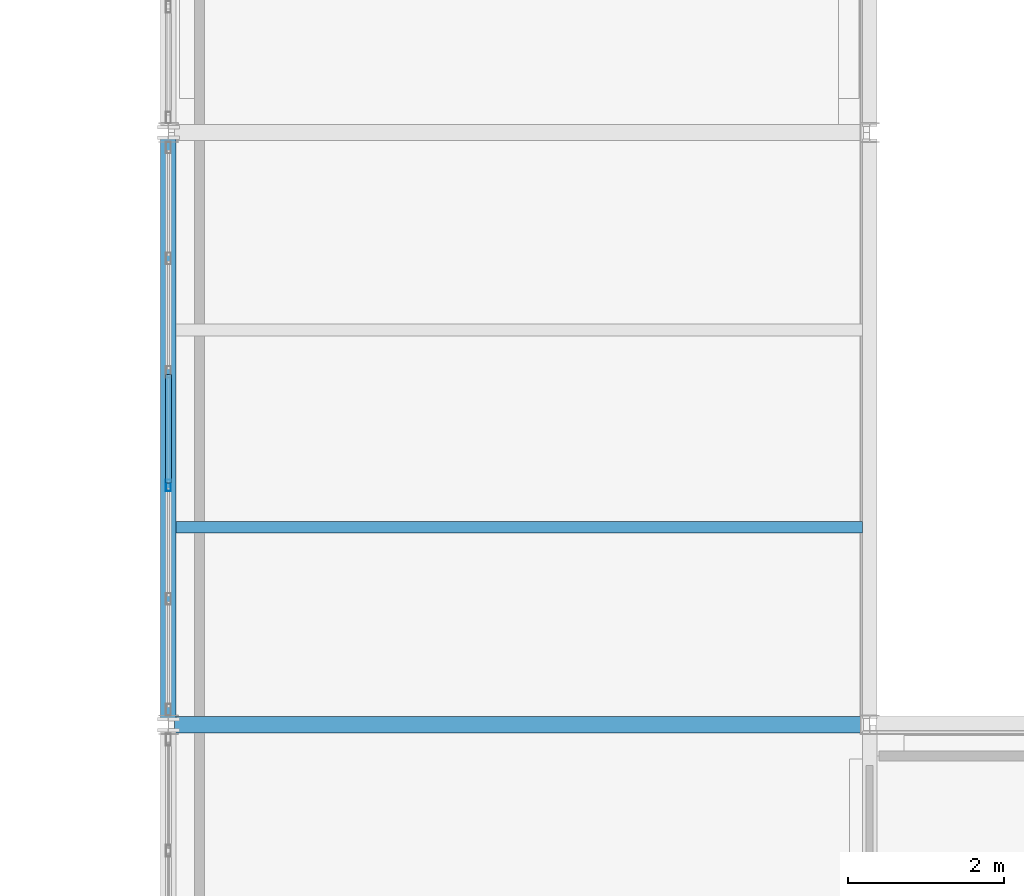
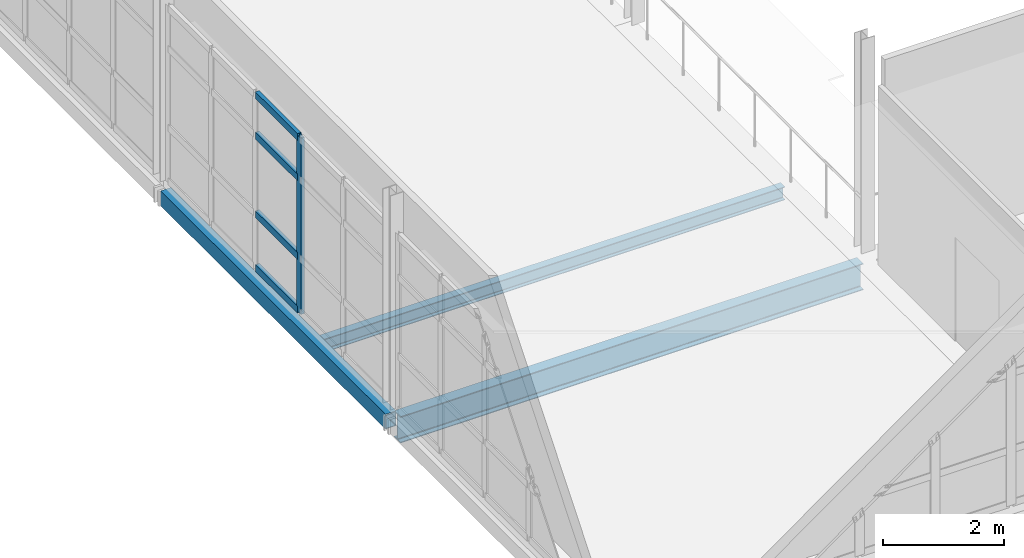
# One storey, part 16 of 48: 5 members, 3 beams, 1 element without a shape of its own.
"""IFC4 building model written with IfcOpenShell, lengths in metres."""

from ifc_helpers import new_model, si_unit, direction, frame, origin, origin_2d, place, context, subcontext, project, spatial, hollow_rectangle, i_section, extrude, material, material_profile, profile_set, type_object, element, aggregate, save


model = new_model("IFC4")

# Units and contexts
model_context = context("Model", 3, precision=1e-05, world=origin(), true_north=direction((0.0, 1.0)))
body_context = subcontext(model_context, "Body", "Model", "MODEL_VIEW")
ifc_project = project(units=[si_unit("LENGTHUNIT", "METRE"), si_unit("AREAUNIT", "SQUARE_METRE"), si_unit("VOLUMEUNIT", "CUBIC_METRE"), si_unit("PLANEANGLEUNIT", "RADIAN"), si_unit("MASSUNIT", "GRAM", prefix="KILO")], contexts=[model_context])

# Site, building, storey
site_placement = place(None, origin())
site = spatial("IfcSite", under=ifc_project, at=site_placement, CompositionType="ELEMENT")
building_placement = place(site_placement, origin())
building = spatial("IfcBuilding", under=site, at=building_placement, Name="Caisbarro Railhouse Central Library", CompositionType="ELEMENT")
storey_placement = place(building_placement, frame((0.0, 0.0, 18.0)))
storey = spatial("IfcBuildingStorey", under=building, at=storey_placement, Name="L04", CompositionType="ELEMENT", Elevation=18.0)

# Beams
ifc_material_1 = material(Name="Steel ASTM A572 Grade 50", Category="steel")
ifc_material_profile_1 = material_profile(ifc_material_1, i_section(OverallWidth=0.208984375, OverallDepth=0.532958984375, WebThickness=0.01025390625, FlangeThickness=0.015625, FilletRadius=0.02001953125, at=origin_2d()), Name="W530X92.0")
ifc_profile_set_1 = profile_set([ifc_material_profile_1], Name="Steel ASTM A572 Grade 50")
beam_type_1 = type_object("IfcBeamType", Name="BM-G06", PredefinedType="BEAM", material=ifc_profile_set_1)
beam_1_placement = place(storey_placement, frame((117.080078125, 76.0, -0.486572265625), z_axis=(1.0, 0.0, 0.0), x_axis=(0.0, 1.0, 0.0)))
element("IfcBeam", 1, at=beam_1_placement, inside=storey, type_object=beam_type_1, Name="G06 beam L04 #2078", PredefinedType="BEAM", context=body_context, shape_type="SweptSolid", body=[
    extrude(i_section(OverallWidth=0.208984375, OverallDepth=0.532958984375, WebThickness=0.01025390625, FlangeThickness=0.015625, FilletRadius=0.02001953125, at=origin_2d()), origin(), (0.0, 0.0, 1.0), 8.83984375),
])
ifc_material_profile_2 = material_profile(ifc_material_1, i_section(OverallWidth=0.14794921875, OverallDepth=0.26611328125, WebThickness=0.007568359375, FlangeThickness=0.012939453125, FilletRadius=0.010009765625, at=origin_2d()), Name="W250X44.8")
ifc_profile_set_2 = profile_set([ifc_material_profile_2], Name="Steel ASTM A572 Grade 50")
beam_type_2 = type_object("IfcBeamType", Name="BM-J04", PredefinedType="JOIST", material=ifc_profile_set_2)
beam_2_placement = place(storey_placement, frame((117.10009765625, 78.533203125, -0.35302734375), z_axis=(1.0, 0.0, 0.0), x_axis=(0.0, 1.0, 0.0)))
element("IfcBeam", 2, at=beam_2_placement, inside=storey, type_object=beam_type_2, Name="J04 beam L04 #2118", PredefinedType="JOIST", context=body_context, shape_type="SweptSolid", body=[
    extrude(i_section(OverallWidth=0.14794921875, OverallDepth=0.26611328125, WebThickness=0.007568359375, FlangeThickness=0.012939453125, FilletRadius=0.010009765625, at=origin_2d()), origin(), (0.0, 0.0, 1.0), 8.804931640625),
])
ifc_material_profile_3 = material_profile(ifc_material_1, hollow_rectangle(XDim=0.199951171875, YDim=0.300048828125, WallThickness=0.012451171875, at=origin_2d()), Name="HSS300X200X12.5")
ifc_profile_set_3 = profile_set([ifc_material_profile_3], Name="Steel ASTM A572 Grade 50")
beam_type_3 = type_object("IfcBeamType", Name="BM-SP02", PredefinedType="SPANDREL", material=ifc_profile_set_3)
beam_3_placement = place(storey_placement, frame((117.0, 76.080078125, -0.3701171875), z_axis=(0.0, 1.0, 0.0), x_axis=(-1.0, 0.0, 0.0)))
element("IfcBeam", 3, at=beam_3_placement, inside=storey, type_object=beam_type_3, Name="SP02 beam L04 #2095", PredefinedType="SPANDREL", context=body_context, shape_type="SweptSolid", body=[
    extrude(hollow_rectangle(XDim=0.199951171875, YDim=0.300048828125, WallThickness=0.012451171875, at=origin_2d()), origin(), (0.0, 0.0, 1.0), 7.43994140625),
])

# Curtain wall, members
ifc_material_2 = material(Name="Anodised architectural aluminium", Category="aluminium")
curtain_wall_type = type_object("IfcCurtainWallType", Name="CW-CW02", PredefinedType="NOTDEFINED", material=ifc_material_2)
curtain_wall_placement = place(storey_placement, origin())
curtain_wall = element("IfcCurtainWall", 4, at=curtain_wall_placement, inside=storey, type_object=curtain_wall_type, Name="CW02 curtain wall L04 #156", PredefinedType="NOTDEFINED")
ifc_material_profile_4 = material_profile(ifc_material_2, hollow_rectangle(XDim=0.06494140625, YDim=0.14990234375, WallThickness=0.00390625, at=origin_2d()), Name="ALU-MUL-65X150")
ifc_profile_set_4 = profile_set([ifc_material_profile_4], Name="Anodised architectural aluminium")
member_type_1 = type_object("IfcMemberType", Name="CWM-M02", PredefinedType="MULLION", material=ifc_profile_set_4)
member_1_placement = place(storey_placement, frame((117.0, 79.072021484375, 0.0), z_axis=(0.0, 0.0, 1.0), x_axis=(-1.0, 0.0, 0.0)))
member_1 = element("IfcMember", 5, at=member_1_placement, type_object=member_type_1, Name="CW02 mullion 3", PredefinedType="MULLION", context=body_context, shape_type="SweptSolid", body=[
    extrude(hollow_rectangle(XDim=0.06494140625, YDim=0.14990234375, WallThickness=0.00390625, at=origin_2d()), origin(), (0.0, 0.0, 1.0), 3.56005859375),
])
ifc_material_profile_5 = material_profile(ifc_material_2, hollow_rectangle(XDim=0.074951171875, YDim=0.139892578125, WallThickness=0.00390625, at=origin_2d()), Name="ALU-TRN-75X140")
ifc_profile_set_5 = profile_set([ifc_material_profile_5], Name="Anodised architectural aluminium")
member_type_2 = type_object("IfcMemberType", Name="CWT-T01", PredefinedType="USERDEFINED", material=ifc_profile_set_5)
member_2_placement = place(storey_placement, frame((117.0, 79.1044921875, 0.03759765625), z_axis=(0.0, 1.0, 0.0), x_axis=(-1.0, 0.0, 0.0)))
member_2 = element("IfcMember", 6, at=member_2_placement, type_object=member_type_2, Name="CW02 transom 3.1", ObjectType="TRANSOM", PredefinedType="USERDEFINED", context=body_context, shape_type="SweptSolid", body=[
    extrude(hollow_rectangle(XDim=0.074951171875, YDim=0.139892578125, WallThickness=0.00390625, at=origin_2d()), origin(), (0.0, 0.0, 1.0), 1.39111328125),
])
member_3_placement = place(storey_placement, frame((117.0, 79.1044921875, 1.1201171875), z_axis=(0.0, 1.0, 0.0), x_axis=(-1.0, 0.0, 0.0)))
member_3 = element("IfcMember", 7, at=member_3_placement, type_object=member_type_2, Name="CW02 transom 3.2", ObjectType="TRANSOM", PredefinedType="USERDEFINED", context=body_context, shape_type="SweptSolid", body=[
    extrude(hollow_rectangle(XDim=0.074951171875, YDim=0.139892578125, WallThickness=0.00390625, at=origin_2d()), origin(), (0.0, 0.0, 1.0), 1.39111328125),
])
member_4_placement = place(storey_placement, frame((117.0, 79.1044921875, 2.7099609375), z_axis=(0.0, 1.0, 0.0), x_axis=(-1.0, 0.0, 0.0)))
member_4 = element("IfcMember", 8, at=member_4_placement, type_object=member_type_2, Name="CW02 transom 3.3", ObjectType="TRANSOM", PredefinedType="USERDEFINED", context=body_context, shape_type="SweptSolid", body=[
    extrude(hollow_rectangle(XDim=0.074951171875, YDim=0.139892578125, WallThickness=0.00390625, at=origin_2d()), origin(), (0.0, 0.0, 1.0), 1.39111328125),
])
member_5_placement = place(storey_placement, frame((117.0, 79.1044921875, 3.5224609375), z_axis=(0.0, 1.0, 0.0), x_axis=(-1.0, 0.0, 0.0)))
member_5 = element("IfcMember", 9, at=member_5_placement, type_object=member_type_2, Name="CW02 transom 3.4", ObjectType="TRANSOM", PredefinedType="USERDEFINED", context=body_context, shape_type="SweptSolid", body=[
    extrude(hollow_rectangle(XDim=0.074951171875, YDim=0.139892578125, WallThickness=0.00390625, at=origin_2d()), origin(), (0.0, 0.0, 1.0), 1.39111328125),
])
aggregate(curtain_wall, [member_1, member_2, member_3, member_4, member_5])

save(model, "model.ifc")
